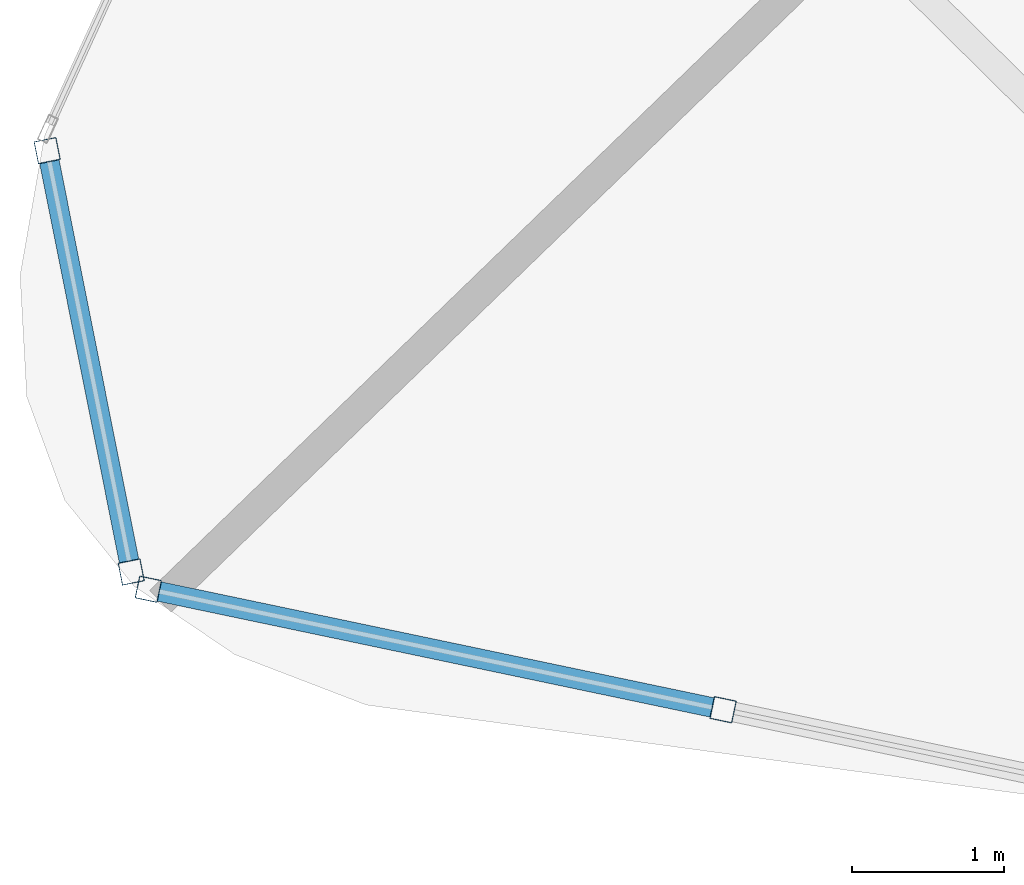
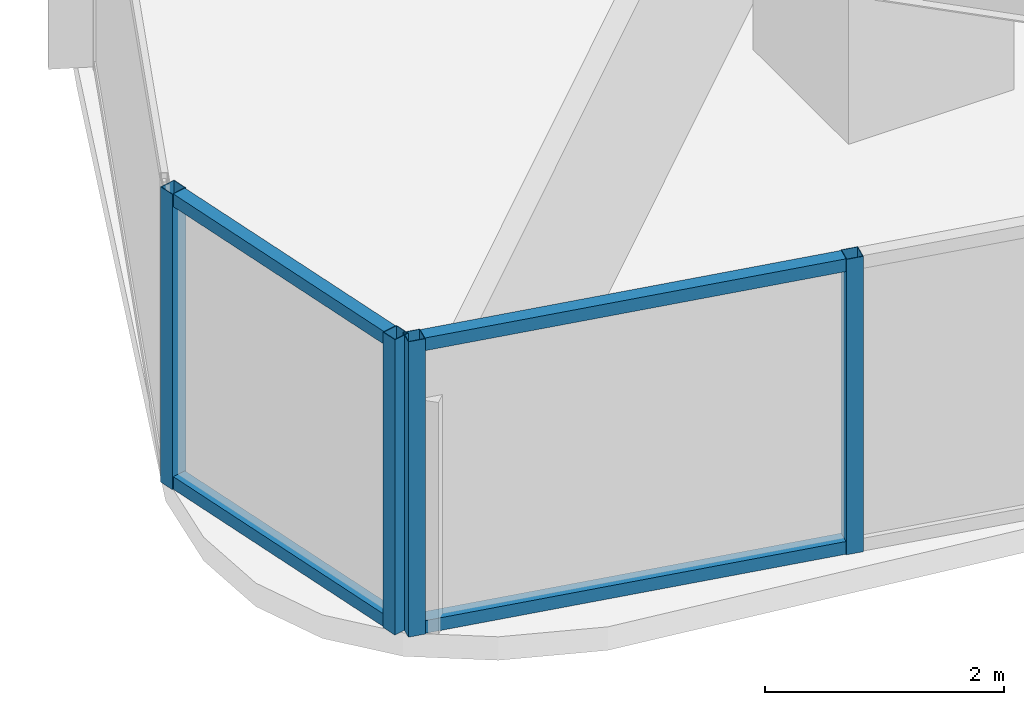
# One storey, part 2 of 33: 8 members, 2 elements without a shape of their own.
"""IFC4 building model written with IfcOpenShell, lengths in metres."""

from ifc_helpers import new_model, si_unit, direction, frame, origin, origin_2d, place, context, subcontext, project, spatial, hollow_rectangle, extrude, material, layer, layer_set, material_profile, profile_set, type_object, element, aggregate, save


model = new_model("IFC4")

# Units and contexts
model_context = context("Model", 3, precision=1e-05, world=origin(), true_north=direction((0.0, 1.0)))
body_context = subcontext(model_context, "Body", "Model", "MODEL_VIEW")
ifc_project = project(units=[si_unit("LENGTHUNIT", "METRE"), si_unit("AREAUNIT", "SQUARE_METRE"), si_unit("VOLUMEUNIT", "CUBIC_METRE"), si_unit("PLANEANGLEUNIT", "RADIAN"), si_unit("MASSUNIT", "GRAM", prefix="KILO")], contexts=[model_context])

# Site, building, storey
site_placement = place(None, origin())
site = spatial("IfcSite", under=ifc_project, at=site_placement, CompositionType="ELEMENT")
building_placement = place(site_placement, origin())
building = spatial("IfcBuilding", under=site, at=building_placement, Name="Orvanel Arch Residences", CompositionType="ELEMENT")
storey_placement = place(building_placement, frame((0.0, 0.0, 93.949951171875)))
storey = spatial("IfcBuildingStorey", under=building, at=storey_placement, Name="L26", CompositionType="ELEMENT", Elevation=93.949951171875)

# Curtain wall, members
ifc_material = material(Name="Bronze-anodised aluminium AA6063-T6", Category="aluminium")
ifc_layer = layer(ifc_material, 0.18994140625)
ifc_layer_set = layer_set([ifc_layer], Name="Bronze-anodised aluminium AA6063-T6")
curtain_wall_type = type_object("IfcCurtainWallType", Name="CW5-CRN-SYS", PredefinedType="NOTDEFINED", material=ifc_layer_set)
curtain_wall_1_placement = place(storey_placement, origin())
curtain_wall_1 = element("IfcCurtainWall", 1, at=curtain_wall_1_placement, inside=storey, type_object=curtain_wall_type, Name="L26 CW5-CRN-SYS Unitised Curtain Wall", PredefinedType="NOTDEFINED")
ifc_material_profile_1 = material_profile(ifc_material, hollow_rectangle(XDim=0.14990234375, YDim=0.14990234375, WallThickness=0.0048828125, at=origin_2d()), Name="ALU150x150x5")
ifc_profile_set_1 = profile_set([ifc_material_profile_1], Name="Bronze-anodised aluminium AA6063-T6")
member_type_1 = type_object("IfcMemberType", Name="MUL-150x150", PredefinedType="MULLION", material=ifc_profile_set_1)
member_1_placement = place(storey_placement, frame((6.03271484375, 8.1025390625, 0.0), z_axis=(0.0, 0.0, 1.0), x_axis=(0.980671084396, 0.195663548547, 0.0)))
member_1 = element("IfcMember", 2, at=member_1_placement, type_object=member_type_1, Name="CW-S5 mullion 1", PredefinedType="MULLION", context=body_context, shape_type="SweptSolid", body=[
    extrude(hollow_rectangle(XDim=0.14990234375, YDim=0.14990234375, WallThickness=0.0048828125, at=origin_2d()), origin(), (0.0, 0.0, 1.0), 3.02001953125),
])
member_2_placement = place(storey_placement, frame((6.585205078125, 5.33251953125, 0.0), z_axis=(0.0, 0.0, 1.0), x_axis=(0.980671084396, 0.195663548547, 0.0)))
member_2 = element("IfcMember", 3, at=member_2_placement, type_object=member_type_1, Name="CW-S5 mullion 2", PredefinedType="MULLION", context=body_context, shape_type="SweptSolid", body=[
    extrude(hollow_rectangle(XDim=0.14990234375, YDim=0.14990234375, WallThickness=0.0048828125, at=origin_2d()), origin(), (0.0, 0.0, 1.0), 3.02001953125),
])

curtain_wall_2_placement = place(storey_placement, origin())
curtain_wall_2 = element("IfcCurtainWall", 4, at=curtain_wall_2_placement, inside=storey, type_object=curtain_wall_type, Name="L26 CW5-CRN-SYS Unitised Curtain Wall", PredefinedType="NOTDEFINED")
member_3_placement = place(storey_placement, frame((6.697509765625, 5.219482421875, 0.0), z_axis=(0.0, 0.0, 1.0), x_axis=(0.205293352027, 0.97870048514, 0.0)))
member_3 = element("IfcMember", 5, at=member_3_placement, type_object=member_type_1, Name="CW-S5 mullion 1", PredefinedType="MULLION", context=body_context, shape_type="SweptSolid", body=[
    extrude(hollow_rectangle(XDim=0.14990234375, YDim=0.14990234375, WallThickness=0.0048828125, at=origin_2d()), origin(), (0.0, 0.0, 1.0), 3.02001953125),
])
member_4_placement = place(storey_placement, frame((10.47607421875, 4.427001953125, 0.0), z_axis=(0.0, 0.0, 1.0), x_axis=(0.205293352027, 0.97870048514, 0.0)))
member_4 = element("IfcMember", 6, at=member_4_placement, type_object=member_type_1, Name="CW-S5 mullion 2", PredefinedType="MULLION", context=body_context, shape_type="SweptSolid", body=[
    extrude(hollow_rectangle(XDim=0.14990234375, YDim=0.14990234375, WallThickness=0.0048828125, at=origin_2d()), origin(), (0.0, 0.0, 1.0), 3.02001953125),
])

# Member
ifc_material_profile_2 = material_profile(ifc_material, hollow_rectangle(XDim=0.1298828125, YDim=0.1298828125, WallThickness=0.00439453125, at=origin_2d()), Name="ALU130x130x4.5")
ifc_profile_set_2 = profile_set([ifc_material_profile_2], Name="Bronze-anodised aluminium AA6063-T6")
member_type_2 = type_object("IfcMemberType", Name="TRN-130x130", PredefinedType="USERDEFINED", material=ifc_profile_set_2)
member_5_placement = place(storey_placement, frame((6.04736328125, 8.02880859375, 0.06494140625), z_axis=(0.195624573826, -0.980678859829, 0.0), x_axis=(0.980678859829, 0.195624573826, 0.0)))
member_5 = element("IfcMember", 7, at=member_5_placement, type_object=member_type_2, Name="CW-S5 transom 1.1", ObjectType="TRANSOM", PredefinedType="USERDEFINED", context=body_context, shape_type="SweptSolid", body=[
    extrude(hollow_rectangle(XDim=0.1298828125, YDim=0.1298828125, WallThickness=0.00439453125, at=origin_2d()), origin(), (0.0, 0.0, 1.0), 2.674560546875),
])

member_6_placement = place(storey_placement, frame((6.04736328125, 8.02880859375, 2.955078125), z_axis=(0.195624573826, -0.980678859829, 0.0), x_axis=(0.980678859829, 0.195624573826, 0.0)))
member_6 = element("IfcMember", 8, at=member_6_placement, type_object=member_type_2, Name="CW-S5 transom 1.2", ObjectType="TRANSOM", PredefinedType="USERDEFINED", context=body_context, shape_type="SweptSolid", body=[
    extrude(hollow_rectangle(XDim=0.1298828125, YDim=0.1298828125, WallThickness=0.00439453125, at=origin_2d()), origin(), (0.0, 0.0, 1.0), 2.674560546875),
])

aggregate(curtain_wall_1, [member_1, member_2, member_5, member_6])

member_7_placement = place(storey_placement, frame((6.770751953125, 5.2041015625, 0.06494140625), z_axis=(0.97870586565, -0.205267699706, 0.0), x_axis=(0.205267699706, 0.97870586565, 0.0)))
member_7 = element("IfcMember", 9, at=member_7_placement, type_object=member_type_2, Name="CW-S5 transom 1.1", ObjectType="TRANSOM", PredefinedType="USERDEFINED", context=body_context, shape_type="SweptSolid", body=[
    extrude(hollow_rectangle(XDim=0.1298828125, YDim=0.1298828125, WallThickness=0.00439453125, at=origin_2d()), origin(), (0.0, 0.0, 1.0), 3.7109375),
])

member_8_placement = place(storey_placement, frame((6.770751953125, 5.2041015625, 2.955078125), z_axis=(0.97870586565, -0.205267699706, 0.0), x_axis=(0.205267699706, 0.97870586565, 0.0)))
member_8 = element("IfcMember", 10, at=member_8_placement, type_object=member_type_2, Name="CW-S5 transom 1.2", ObjectType="TRANSOM", PredefinedType="USERDEFINED", context=body_context, shape_type="SweptSolid", body=[
    extrude(hollow_rectangle(XDim=0.1298828125, YDim=0.1298828125, WallThickness=0.00439453125, at=origin_2d()), origin(), (0.0, 0.0, 1.0), 3.7109375),
])

aggregate(curtain_wall_2, [member_3, member_4, member_7, member_8])

save(model, "model.ifc")
